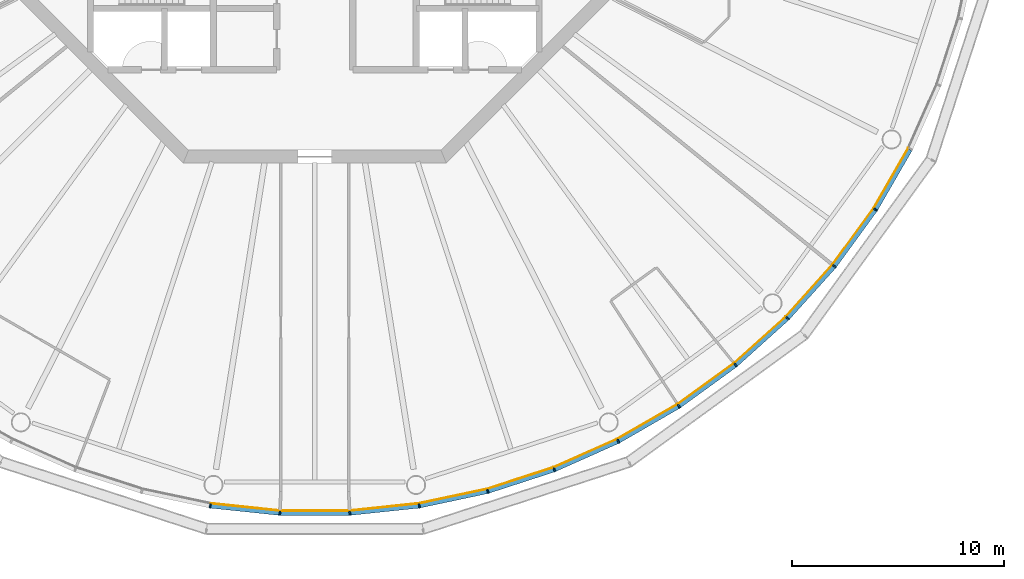
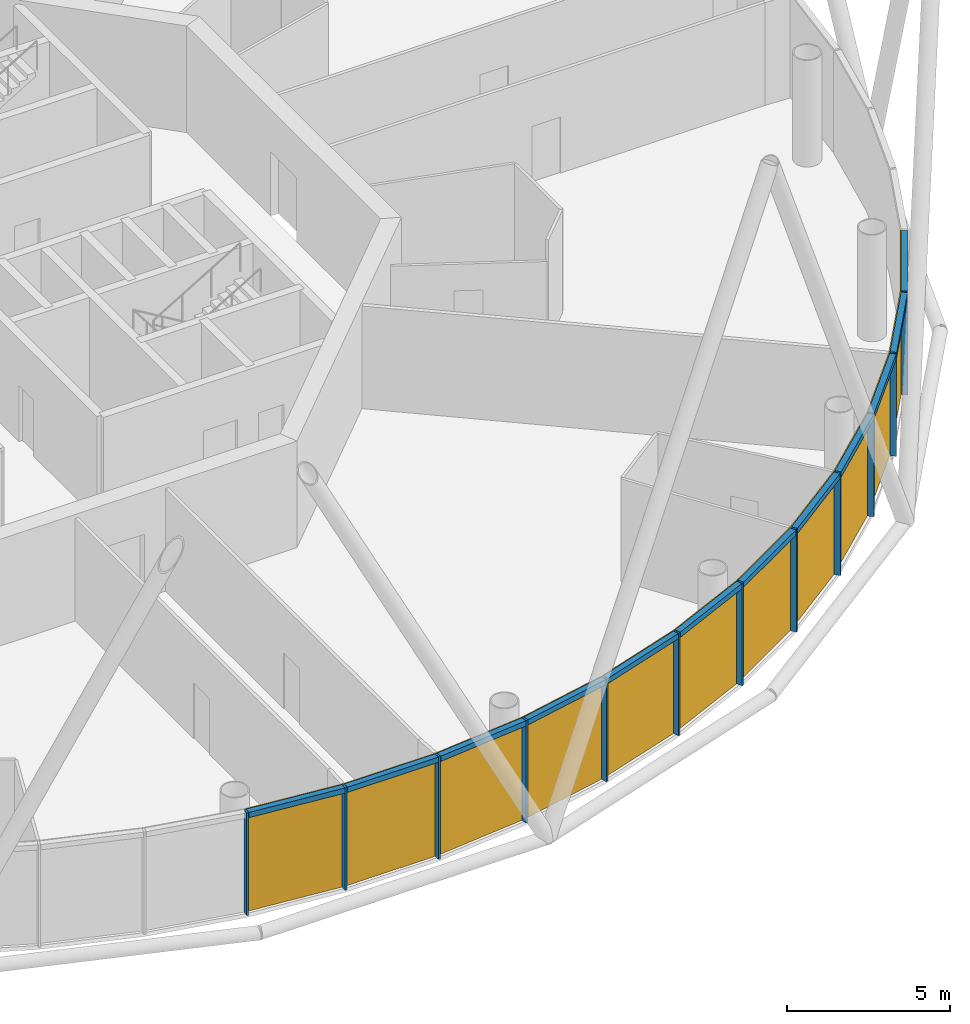
# One storey, part 8 of 13: 24 members, 4 curtain walls.
"""IFC4 building model written with IfcOpenShell, lengths in metres."""

from ifc_helpers import new_model, si_unit, direction, frame, origin, origin_2d, place, context, subcontext, project, spatial, polyline, rectangle, outline, extrude, material, layer, layer_set, material_profile, profile_set, type_object, element, aggregate, save


model = new_model("IFC4")

# Units and contexts
model_context = context("Model", 3, precision=1e-05, world=origin(), true_north=direction((0.0, 1.0)))
body_context = subcontext(model_context, "Body", "Model", "MODEL_VIEW")
ifc_project = project(units=[si_unit("LENGTHUNIT", "METRE"), si_unit("AREAUNIT", "SQUARE_METRE"), si_unit("VOLUMEUNIT", "CUBIC_METRE"), si_unit("PLANEANGLEUNIT", "RADIAN"), si_unit("MASSUNIT", "GRAM", prefix="KILO")], contexts=[model_context])

# Member
ifc_material_1 = material(Name="Anodised aluminium", Category="aluminium")
ifc_material_profile_1 = material_profile(ifc_material_1, rectangle(XDim=0.070068359375, YDim=0.205078125, at=origin_2d()), Name="Mullion 70 x 205 mm anodised aluminium")
ifc_profile_set_1 = profile_set([ifc_material_profile_1], Name="Anodised aluminium")
member_type_1 = type_object("IfcMemberType", Name="Mullion 70 x 205 mm anodised aluminium", PredefinedType="MULLION", material=ifc_profile_set_1)
site_placement = place(None, origin())
building_placement = place(site_placement, origin())
storey_placement = place(building_placement, frame((0.0, 0.0, 336.0)))
member_1_placement = place(storey_placement, frame((85.056396484375, 48.78662109375, 0.0), z_axis=(0.0, 0.0, 1.0), x_axis=(0.987688340595, -0.15643446504, 0.0)))
member_1 = element("IfcMember", 1, at=member_1_placement, type_object=member_type_1, Name="MULLION L77-42", PredefinedType="MULLION", context=body_context, shape_type="SweptSolid", body=[
    extrude(rectangle(XDim=0.070068359375, YDim=0.205078125, at=origin_2d()), origin(), (0.0, 0.0, 1.0), 3.85009765625),
])

member_2_placement = place(storey_placement, frame((88.345947265625, 48.44091796875, 0.0), z_axis=(0.0, 0.0, 1.0), x_axis=(0.998629534755, -0.052335956243, 0.0)))
member_2 = element("IfcMember", 2, at=member_2_placement, type_object=member_type_1, Name="MULLION L77-43", PredefinedType="MULLION", context=body_context, shape_type="SweptSolid", body=[
    extrude(rectangle(XDim=0.070068359375, YDim=0.205078125, at=origin_2d()), origin(), (0.0, 0.0, 1.0), 3.85009765625),
])

member_3_placement = place(storey_placement, frame((91.654052734375, 48.44091796875, 0.0), z_axis=(0.0, 0.0, 1.0), x_axis=(0.998629534755, 0.052335956243, 0.0)))
member_3 = element("IfcMember", 3, at=member_3_placement, type_object=member_type_1, Name="MULLION L77-44", PredefinedType="MULLION", context=body_context, shape_type="SweptSolid", body=[
    extrude(rectangle(XDim=0.070068359375, YDim=0.205078125, at=origin_2d()), origin(), (0.0, 0.0, 1.0), 3.85009765625),
])

member_4_placement = place(storey_placement, frame((94.943603515625, 48.78662109375, 0.0), z_axis=(0.0, 0.0, 1.0), x_axis=(0.987688340595, 0.15643446504, 0.0)))
member_4 = element("IfcMember", 4, at=member_4_placement, type_object=member_type_1, Name="MULLION L77-45", PredefinedType="MULLION", context=body_context, shape_type="SweptSolid", body=[
    extrude(rectangle(XDim=0.070068359375, YDim=0.205078125, at=origin_2d()), origin(), (0.0, 0.0, 1.0), 3.85009765625),
])

member_5_placement = place(storey_placement, frame((98.179443359375, 49.474365234375, 0.0), z_axis=(0.0, 0.0, 1.0), x_axis=(0.965925826289, 0.258819045103, 0.0)))
member_5 = element("IfcMember", 5, at=member_5_placement, type_object=member_type_1, Name="MULLION L77-46", PredefinedType="MULLION", context=body_context, shape_type="SweptSolid", body=[
    extrude(rectangle(XDim=0.070068359375, YDim=0.205078125, at=origin_2d()), origin(), (0.0, 0.0, 1.0), 3.85009765625),
])

member_6_placement = place(storey_placement, frame((101.325439453125, 50.49658203125, 0.0), z_axis=(0.0, 0.0, 1.0), x_axis=(0.933580426497, 0.358367949545, 0.0)))
member_6 = element("IfcMember", 6, at=member_6_placement, type_object=member_type_1, Name="MULLION L77-47", PredefinedType="MULLION", context=body_context, shape_type="SweptSolid", body=[
    extrude(rectangle(XDim=0.070068359375, YDim=0.205078125, at=origin_2d()), origin(), (0.0, 0.0, 1.0), 3.85009765625),
])

member_7_placement = place(storey_placement, frame((104.34716796875, 51.842041015625, 0.0), z_axis=(0.0, 0.0, 1.0), x_axis=(0.891006524188, 0.45399049974, 0.0)))
member_7 = element("IfcMember", 7, at=member_7_placement, type_object=member_type_1, Name="MULLION L77-48", PredefinedType="MULLION", context=body_context, shape_type="SweptSolid", body=[
    extrude(rectangle(XDim=0.070068359375, YDim=0.205078125, at=origin_2d()), origin(), (0.0, 0.0, 1.0), 3.85009765625),
])

member_8_placement = place(storey_placement, frame((107.2119140625, 53.495849609375, 0.0), z_axis=(0.0, 0.0, 1.0), x_axis=(0.838670567945, 0.544639035015, 0.0)))
member_8 = element("IfcMember", 8, at=member_8_placement, type_object=member_type_1, Name="MULLION L77-49", PredefinedType="MULLION", context=body_context, shape_type="SweptSolid", body=[
    extrude(rectangle(XDim=0.070068359375, YDim=0.205078125, at=origin_2d()), origin(), (0.0, 0.0, 1.0), 3.85009765625),
])

member_9_placement = place(storey_placement, frame((109.88818359375, 55.440185546875, 0.0), z_axis=(0.0, 0.0, 1.0), x_axis=(0.777145961457, 0.62932039105, 0.0)))
member_9 = element("IfcMember", 9, at=member_9_placement, type_object=member_type_1, Name="MULLION L77-50", PredefinedType="MULLION", context=body_context, shape_type="SweptSolid", body=[
    extrude(rectangle(XDim=0.070068359375, YDim=0.205078125, at=origin_2d()), origin(), (0.0, 0.0, 1.0), 3.85009765625),
])

member_10_placement = place(storey_placement, frame((112.346435546875, 57.653564453125, 0.0), z_axis=(0.0, 0.0, 1.0), x_axis=(0.707106781187, 0.707106781187, 0.0)))
member_10 = element("IfcMember", 10, at=member_10_placement, type_object=member_type_1, Name="MULLION L77-51", PredefinedType="MULLION", context=body_context, shape_type="SweptSolid", body=[
    extrude(rectangle(XDim=0.070068359375, YDim=0.205078125, at=origin_2d()), origin(), (0.0, 0.0, 1.0), 3.85009765625),
])

member_11_placement = place(storey_placement, frame((114.559814453125, 60.11181640625, 0.0), z_axis=(0.0, 0.0, 1.0), x_axis=(0.62932039105, 0.777145961457, 0.0)))
member_11 = element("IfcMember", 11, at=member_11_placement, type_object=member_type_1, Name="MULLION L77-52", PredefinedType="MULLION", context=body_context, shape_type="SweptSolid", body=[
    extrude(rectangle(XDim=0.070068359375, YDim=0.205078125, at=origin_2d()), origin(), (0.0, 0.0, 1.0), 3.85009765625),
])

member_12_placement = place(storey_placement, frame((116.504150390625, 62.7880859375, 0.0), z_axis=(0.0, 0.0, 1.0), x_axis=(0.544639035015, 0.838670567945, 0.0)))
member_12 = element("IfcMember", 12, at=member_12_placement, type_object=member_type_1, Name="MULLION L77-53", PredefinedType="MULLION", context=body_context, shape_type="SweptSolid", body=[
    extrude(rectangle(XDim=0.070068359375, YDim=0.205078125, at=origin_2d()), origin(), (0.0, 0.0, 1.0), 3.85009765625),
])

ifc_material_2 = material(Name="Anodised aluminium", Category="aluminium")
ifc_material_profile_2 = material_profile(ifc_material_2, rectangle(XDim=0.205078125, YDim=0.195068359375, at=origin_2d()), Name="Transom 195 x 205 mm anodised aluminium")
ifc_profile_set_2 = profile_set([ifc_material_profile_2], Name="Anodised aluminium")
member_type_2 = type_object("IfcMemberType", Name="Transom 195 x 205 mm anodised aluminium", PredefinedType="USERDEFINED", material=ifc_profile_set_2)
member_13_placement = place(storey_placement, frame((85.096435546875, 48.7822265625, 3.75244140625), z_axis=(0.994519537956, -0.104550890115, 0.0), x_axis=(0.104550890115, 0.994519537956, 0.0)))
member_13 = element("IfcMember", 13, at=member_13_placement, type_object=member_type_2, Name="TRANSOM L77-42", ObjectType="TRANSOM", PredefinedType="USERDEFINED", context=body_context, shape_type="SweptSolid", body=[
    extrude(rectangle(XDim=0.205078125, YDim=0.195068359375, at=origin_2d()), origin(), (0.0, 0.0, 1.0), 3.22705078125),
])

member_14_placement = place(storey_placement, frame((88.386474609375, 48.440673828125, 3.75244140625), z_axis=(1.0, 0.0, 0.0), x_axis=(0.0, 1.0, 0.0)))
member_14 = element("IfcMember", 14, at=member_14_placement, type_object=member_type_2, Name="TRANSOM L77-43", ObjectType="TRANSOM", PredefinedType="USERDEFINED", context=body_context, shape_type="SweptSolid", body=[
    extrude(rectangle(XDim=0.205078125, YDim=0.195068359375, at=origin_2d()), origin(), (0.0, 0.0, 1.0), 3.22705078125),
])

member_15_placement = place(storey_placement, frame((91.694091796875, 48.44482421875, 3.75244140625), z_axis=(0.994519537956, 0.104550890115, 0.0), x_axis=(-0.104550890115, 0.994519537956, 0.0)))
member_15 = element("IfcMember", 15, at=member_15_placement, type_object=member_type_2, Name="TRANSOM L77-44", ObjectType="TRANSOM", PredefinedType="USERDEFINED", context=body_context, shape_type="SweptSolid", body=[
    extrude(rectangle(XDim=0.205078125, YDim=0.195068359375, at=origin_2d()), origin(), (0.0, 0.0, 1.0), 3.22705078125),
])

member_16_placement = place(storey_placement, frame((94.983154296875, 48.794921875, 3.75244140625), z_axis=(0.978153082647, 0.207885898771, 0.0), x_axis=(-0.207885898771, 0.978153082647, 0.0)))
member_16 = element("IfcMember", 16, at=member_16_placement, type_object=member_type_2, Name="TRANSOM L77-45", ObjectType="TRANSOM", PredefinedType="USERDEFINED", context=body_context, shape_type="SweptSolid", body=[
    extrude(rectangle(XDim=0.205078125, YDim=0.195068359375, at=origin_2d()), origin(), (0.0, 0.0, 1.0), 3.227294921875),
])

member_17_placement = place(storey_placement, frame((98.2177734375, 49.486572265625, 3.75244140625), z_axis=(0.951046855117, 0.309046726844, 0.0), x_axis=(-0.309046726844, 0.951046855117, 0.0)))
member_17 = element("IfcMember", 17, at=member_17_placement, type_object=member_type_2, Name="TRANSOM L77-46", ObjectType="TRANSOM", PredefinedType="USERDEFINED", context=body_context, shape_type="SweptSolid", body=[
    extrude(rectangle(XDim=0.205078125, YDim=0.195068359375, at=origin_2d()), origin(), (0.0, 0.0, 1.0), 3.22705078125),
])

member_18_placement = place(storey_placement, frame((101.3623046875, 50.5126953125, 3.75244140625), z_axis=(0.913521178731, 0.406791170024, 0.0), x_axis=(-0.406791170024, 0.913521178731, 0.0)))
member_18 = element("IfcMember", 18, at=member_18_placement, type_object=member_type_2, Name="TRANSOM L77-47", ObjectType="TRANSOM", PredefinedType="USERDEFINED", context=body_context, shape_type="SweptSolid", body=[
    extrude(rectangle(XDim=0.205078125, YDim=0.195068359375, at=origin_2d()), origin(), (0.0, 0.0, 1.0), 3.22705078125),
])

member_19_placement = place(storey_placement, frame((104.38232421875, 51.862060546875, 3.75244140625), z_axis=(0.866023062494, 0.500004055213, 0.0), x_axis=(-0.500004055213, 0.866023062494, 0.0)))
member_19 = element("IfcMember", 19, at=member_19_placement, type_object=member_type_2, Name="TRANSOM L77-48", ObjectType="TRANSOM", PredefinedType="USERDEFINED", context=body_context, shape_type="SweptSolid", body=[
    extrude(rectangle(XDim=0.205078125, YDim=0.195068359375, at=origin_2d()), origin(), (0.0, 0.0, 1.0), 3.22705078125),
])

member_20_placement = place(storey_placement, frame((107.24462890625, 53.51953125, 3.75244140625), z_axis=(0.809004252048, 0.587802790201, 0.0), x_axis=(-0.587802790201, 0.809004252048, 0.0)))
member_20 = element("IfcMember", 20, at=member_20_placement, type_object=member_type_2, Name="TRANSOM L77-49", ObjectType="TRANSOM", PredefinedType="USERDEFINED", context=body_context, shape_type="SweptSolid", body=[
    extrude(rectangle(XDim=0.205078125, YDim=0.195068359375, at=origin_2d()), origin(), (0.0, 0.0, 1.0), 3.227294921875),
])

member_21_placement = place(storey_placement, frame((109.918212890625, 55.467041015625, 3.75244140625), z_axis=(0.743132370743, 0.669144438484, 0.0), x_axis=(-0.669144438484, 0.743132370743, 0.0)))
member_21 = element("IfcMember", 21, at=member_21_placement, type_object=member_type_2, Name="TRANSOM L77-50", ObjectType="TRANSOM", PredefinedType="USERDEFINED", context=body_context, shape_type="SweptSolid", body=[
    extrude(rectangle(XDim=0.205078125, YDim=0.195068359375, at=origin_2d()), origin(), (0.0, 0.0, 1.0), 3.22705078125),
])

member_22_placement = place(storey_placement, frame((112.37353515625, 57.68359375, 3.75244140625), z_axis=(0.669144438484, 0.743132370743, 0.0), x_axis=(-0.743132370743, 0.669144438484, 0.0)))
member_22 = element("IfcMember", 22, at=member_22_placement, type_object=member_type_2, Name="TRANSOM L77-51", ObjectType="TRANSOM", PredefinedType="USERDEFINED", context=body_context, shape_type="SweptSolid", body=[
    extrude(rectangle(XDim=0.205078125, YDim=0.195068359375, at=origin_2d()), origin(), (0.0, 0.0, 1.0), 3.22705078125),
])

member_23_placement = place(storey_placement, frame((114.58349609375, 60.14453125, 3.75244140625), z_axis=(0.587802790201, 0.809004252048, 0.0), x_axis=(-0.809004252048, 0.587802790201, 0.0)))
member_23 = element("IfcMember", 23, at=member_23_placement, type_object=member_type_2, Name="TRANSOM L77-52", ObjectType="TRANSOM", PredefinedType="USERDEFINED", context=body_context, shape_type="SweptSolid", body=[
    extrude(rectangle(XDim=0.205078125, YDim=0.195068359375, at=origin_2d()), origin(), (0.0, 0.0, 1.0), 3.227294921875),
])

member_24_placement = place(storey_placement, frame((116.5244140625, 62.822998046875, 3.75244140625), z_axis=(0.500004055213, 0.866023062494, 0.0), x_axis=(-0.866023062494, 0.500004055213, 0.0)))
member_24 = element("IfcMember", 24, at=member_24_placement, type_object=member_type_2, Name="TRANSOM L77-53", ObjectType="TRANSOM", PredefinedType="USERDEFINED", context=body_context, shape_type="SweptSolid", body=[
    extrude(rectangle(XDim=0.205078125, YDim=0.195068359375, at=origin_2d()), origin(), (0.0, 0.0, 1.0), 3.22705078125),
])

# Site, building, storey
site = spatial("IfcSite", under=ifc_project, at=site_placement, CompositionType="ELEMENT")
building = spatial("IfcBuilding", under=site, at=building_placement, Name="Entoto Ring Tower", CompositionType="ELEMENT")
storey = spatial("IfcBuildingStorey", under=building, at=storey_placement, Name="L77", CompositionType="ELEMENT", Elevation=336.0)

# Curtain wall
ifc_material_3 = material(Name="Clear low-iron glass", Category="glass")
ifc_layer = layer(ifc_material_3, 0.035888671875)
ifc_layer_set = layer_set([ifc_layer], Name="Clear low-iron glass")
curtain_wall_type = type_object("IfcCurtainWallType", Name="Curtain wall system CW6 glazing 36 mm", PredefinedType="NOTDEFINED", material=ifc_layer_set)
curtain_wall_1_placement = place(storey_placement, origin())
curtain_wall_1 = element("IfcCurtainWall", 25, at=curtain_wall_1_placement, inside=storey, type_object=curtain_wall_type, Name="CW6 L77-15", PredefinedType="NOTDEFINED", context=body_context, shape_type="SweptSolid", body=[
    extrude(outline(polyline([(85.072265625, 48.8876953125), (88.351318359375, 48.543212890625), (91.648681640625, 48.543212890625), (94.927734375, 48.8876953125), (94.922119140625, 48.92333984375), (91.646728515625, 48.5791015625), (88.353271484375, 48.5791015625), (85.077880859375, 48.92333984375), (85.072265625, 48.8876953125)])), origin(), (0.0, 0.0, 1.0), 3.85009765625),
])

aggregate(curtain_wall_1, [member_1, member_2, member_3, member_13, member_14, member_15])

curtain_wall_2_placement = place(storey_placement, origin())
curtain_wall_2 = element("IfcCurtainWall", 26, at=curtain_wall_2_placement, inside=storey, type_object=curtain_wall_type, Name="CW6 L77-16", PredefinedType="NOTDEFINED", context=body_context, shape_type="SweptSolid", body=[
    extrude(outline(polyline([(94.927734375, 48.8876953125), (98.15283203125, 49.5732421875), (101.28857421875, 50.59228515625), (104.30078125, 51.933349609375), (104.284423828125, 51.96533203125), (101.275634765625, 50.6259765625), (98.1435546875, 49.608154296875), (94.922119140625, 48.92333984375), (94.927734375, 48.8876953125)])), origin(), (0.0, 0.0, 1.0), 3.85009765625),
])

aggregate(curtain_wall_2, [member_4, member_5, member_6, member_16, member_17, member_18])

curtain_wall_3_placement = place(storey_placement, origin())
curtain_wall_3 = element("IfcCurtainWall", 27, at=curtain_wall_3_placement, inside=storey, type_object=curtain_wall_type, Name="CW6 L77-17", PredefinedType="NOTDEFINED", context=body_context, shape_type="SweptSolid", body=[
    extrude(outline(polyline([(104.30078125, 51.933349609375), (107.15625, 53.581787109375), (109.823486328125, 55.52001953125), (112.27392578125, 57.72607421875), (112.248291015625, 57.751708984375), (109.801025390625, 55.5478515625), (107.136474609375, 53.612060546875), (104.284423828125, 51.96533203125), (104.30078125, 51.933349609375)])), origin(), (0.0, 0.0, 1.0), 3.85009765625),
])

aggregate(curtain_wall_3, [member_7, member_8, member_9, member_19, member_20, member_21])

curtain_wall_4_placement = place(storey_placement, origin())
curtain_wall_4 = element("IfcCurtainWall", 28, at=curtain_wall_4_placement, inside=storey, type_object=curtain_wall_type, Name="CW6 L77-18", PredefinedType="NOTDEFINED", context=body_context, shape_type="SweptSolid", body=[
    extrude(outline(polyline([(112.27392578125, 57.72607421875), (114.47998046875, 60.176513671875), (116.418212890625, 62.84375), (118.066650390625, 65.69921875), (118.03466796875, 65.715576171875), (116.387939453125, 62.863525390625), (114.4521484375, 60.198974609375), (112.248291015625, 57.751708984375), (112.27392578125, 57.72607421875)])), origin(), (0.0, 0.0, 1.0), 3.85009765625),
])

aggregate(curtain_wall_4, [member_10, member_11, member_12, member_22, member_23, member_24])

save(model, "model.ifc")
